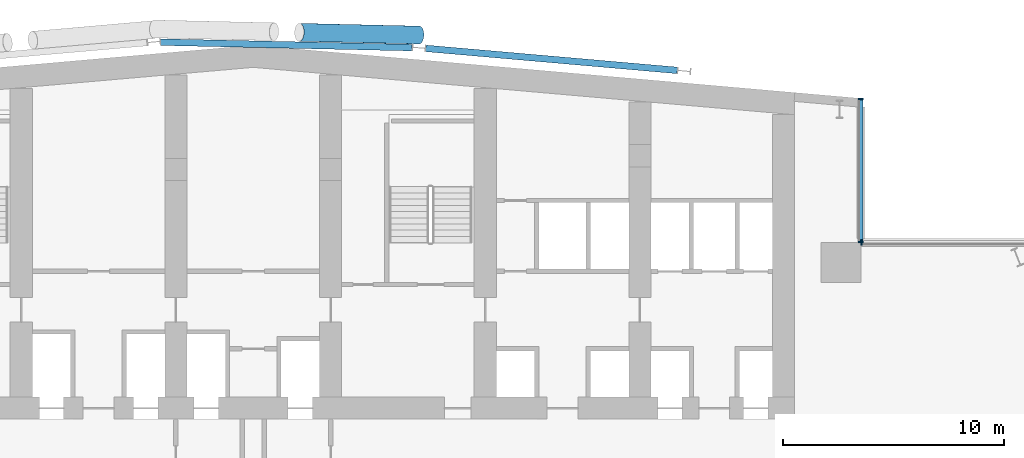
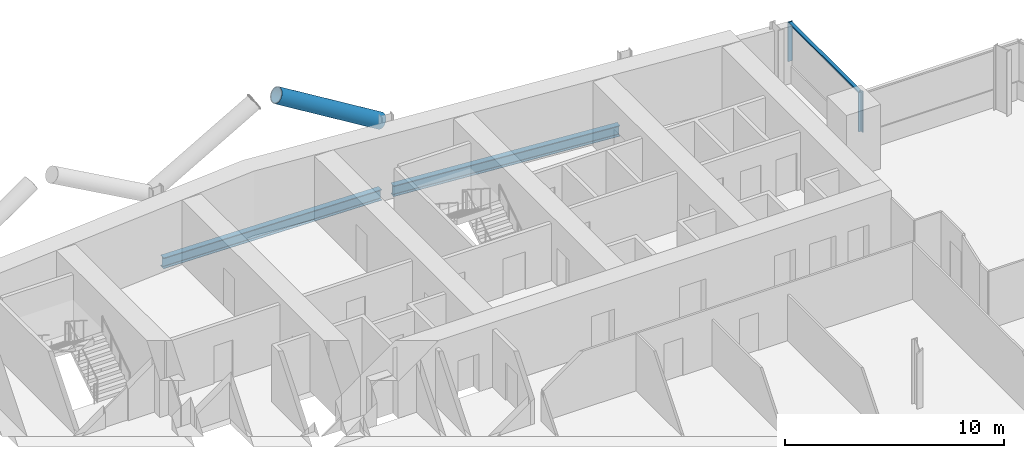
# One storey, part 9 of 25: 5 members, 2 beams, 2 elements without a shape of their own.
"""IFC4 building model written with IfcOpenShell, lengths in metres."""

from ifc_helpers import new_model, si_unit, direction, frame, origin, origin_2d, place, context, subcontext, project, spatial, rectangle, hollow_circle, i_section, extrude, material, material_profile, profile_set, type_object, element, aggregate, save


model = new_model("IFC4")

# Units and contexts
model_context = context("Model", 3, precision=1e-05, world=origin(), true_north=direction((0.0, 1.0)))
body_context = subcontext(model_context, "Body", "Model", "MODEL_VIEW")
ifc_project = project(units=[si_unit("LENGTHUNIT", "METRE"), si_unit("AREAUNIT", "SQUARE_METRE"), si_unit("VOLUMEUNIT", "CUBIC_METRE"), si_unit("PLANEANGLEUNIT", "RADIAN"), si_unit("MASSUNIT", "GRAM", prefix="KILO")], contexts=[model_context])

# Site, building, storey
site_placement = place(None, origin())
site = spatial("IfcSite", under=ifc_project, at=site_placement, CompositionType="ELEMENT")
building_placement = place(site_placement, origin())
building = spatial("IfcBuilding", under=site, at=building_placement, Name="Wharfspan Tower", CompositionType="ELEMENT")
storey_placement = place(building_placement, frame((0.0, 0.0, 121.899902)))
storey = spatial("IfcBuildingStorey", under=building, at=storey_placement, Name="L28", CompositionType="ELEMENT", Elevation=121.899902)

# Beams
ifc_material_1 = material(Name="Steel S355J2", Category="steel")
ifc_material_profile_1 = material_profile(ifc_material_1, i_section(OverallWidth=0.300049, OverallDepth=0.600098, WebThickness=0.015381, FlangeThickness=0.030029, FilletRadius=0.0271, at=origin_2d()))
ifc_profile_set_1 = profile_set([ifc_material_profile_1], Name="Steel S355J2")
beam_type = type_object("IfcBeamType", Name="Edge beam HEB 600", PredefinedType="SPANDREL", material=ifc_profile_set_1)
beam_1_placement = place(storey_placement, frame((59.695068, 49.791504, -0.699951), z_axis=(-0.996194, 0.087162, 0.0), x_axis=(-0.087162, -0.996194, 0.0)))
element("IfcBeam", 1, at=beam_1_placement, inside=storey, type_object=beam_type, Name="Edge beam N2 L28 R.4 to R.3", PredefinedType="SPANDREL", context=body_context, shape_type="SweptSolid", body=[
    extrude(i_section(OverallWidth=0.300049, OverallDepth=0.600098, WebThickness=0.015381, FlangeThickness=0.030029, FilletRadius=0.0271, at=origin_2d()), origin(), (0.0, 0.0, 1.0), 11.433594),
])
beam_2_placement = place(storey_placement, frame((36.307861, 51.070557, -0.699951), z_axis=(0.99976, -0.021888, 0.0), x_axis=(0.021888, 0.99976, 0.0)))
element("IfcBeam", 2, at=beam_2_placement, inside=storey, type_object=beam_type, Name="Edge beam L28 R.2 to R.3", PredefinedType="SPANDREL", context=body_context, shape_type="SweptSolid", body=[
    extrude(i_section(OverallWidth=0.300049, OverallDepth=0.600098, WebThickness=0.015381, FlangeThickness=0.030029, FilletRadius=0.0271, at=origin_2d()), origin(), (0.0, 0.0, 1.0), 11.388184),
])

# Curtain wall, member
ifc_material_2 = material(Name="Aluminium 6063-T6", Category="aluminium")
curtain_wall_type = type_object("IfcCurtainWallType", Name="CURTAIN WALL PROW AND END", PredefinedType="NOTDEFINED", material=ifc_material_2)
curtain_wall_1_placement = place(storey_placement, origin())
curtain_wall_1 = element("IfcCurtainWall", 3, at=curtain_wall_1_placement, inside=storey, type_object=curtain_wall_type, Name="Curtain wall NRE-H", PredefinedType="NOTDEFINED")
ifc_material_profile_2 = material_profile(ifc_material_2, rectangle(XDim=0.23999, YDim=0.060059, at=origin_2d()))
ifc_profile_set_2 = profile_set([ifc_material_profile_2], Name="Aluminium 6063-T6")
member_type_1 = type_object("IfcMemberType", Name="MULLION PROW AND END 60x240", PredefinedType="MULLION", material=ifc_profile_set_2)
member_1_placement = place(storey_placement, frame((68.030029, 42.0, 1.0), z_axis=(0.0, 0.0, 1.0), x_axis=(0.0, -1.0, 0.0)))
member_1 = element("IfcMember", 4, at=member_1_placement, type_object=member_type_1, Name="Curtain wall NRE-H mullion 2", PredefinedType="MULLION", context=body_context, shape_type="SweptSolid", body=[
    extrude(rectangle(XDim=0.23999, YDim=0.060059, at=origin_2d()), origin(), (0.0, 0.0, 1.0), 2.200195),
])
aggregate(curtain_wall_1, [member_1])

# Curtain wall, members
curtain_wall_2_placement = place(storey_placement, origin())
curtain_wall_2 = element("IfcCurtainWall", 5, at=curtain_wall_2_placement, inside=storey, type_object=curtain_wall_type, Name="Curtain wall NRE-V", PredefinedType="NOTDEFINED")
member_2_placement = place(storey_placement, frame((68.0, 42.030029, 1.0), z_axis=(0.0, 0.0, 1.0), x_axis=(-1.0, 0.0, 0.0)))
member_2 = element("IfcMember", 6, at=member_2_placement, type_object=member_type_1, Name="Curtain wall NRE-V mullion 1", PredefinedType="MULLION", context=body_context, shape_type="SweptSolid", body=[
    extrude(rectangle(XDim=0.23999, YDim=0.060059, at=origin_2d()), origin(), (0.0, 0.0, 1.0), 2.200195),
])
member_3_placement = place(storey_placement, frame((68.0, 48.494873, 1.0), z_axis=(0.0, 0.0, 1.0), x_axis=(-1.0, 0.0, 0.0)))
member_3 = element("IfcMember", 7, at=member_3_placement, type_object=member_type_1, Name="Curtain wall NRE-V mullion 2", PredefinedType="MULLION", context=body_context, shape_type="SweptSolid", body=[
    extrude(rectangle(XDim=0.23999, YDim=0.060059, at=origin_2d()), origin(), (0.0, 0.0, 1.0), 2.200195),
])

# Member
ifc_material_3 = material(Name="Steel S460NH", Category="steel")
ifc_material_profile_3 = material_profile(ifc_material_3, hollow_circle(Radius=0.406494, WallThickness=0.040039, at=origin_2d()))
ifc_profile_set_3 = profile_set([ifc_material_profile_3], Name="Steel S460NH")
member_type_2 = type_object("IfcMemberType", Name="Mega brace CHS 813x40", PredefinedType="BRACE", material=ifc_profile_set_3)
member_4_placement = place(storey_placement, frame((48.012695, 51.390381, 2.900146), z_axis=(-0.857327, 0.019686, 0.514396), x_axis=(-0.022956, -0.999736, 0.0)))
element("IfcMember", 8, at=member_4_placement, inside=storey, type_object=member_type_2, Name="Mega brace N7 L29 part 3", PredefinedType="BRACE", context=body_context, shape_type="SweptSolid", body=[
    extrude(hollow_circle(Radius=0.406494, WallThickness=0.040039, at=origin_2d()), origin(), (0.0, 0.0, 1.0), 6.324707),
])

ifc_material_profile_4 = material_profile(ifc_material_2, rectangle(XDim=0.179932, YDim=0.080078, at=origin_2d()))
ifc_profile_set_4 = profile_set([ifc_material_profile_4], Name="Aluminium 6063-T6")
member_type_3 = type_object("IfcMemberType", Name="TRANSOM PROW AND END 80x180", PredefinedType="USERDEFINED", material=ifc_profile_set_4)
member_5_placement = place(storey_placement, frame((68.0, 42.060059, 3.160156), z_axis=(0.0, 1.0, 0.0), x_axis=(-1.0, 0.0, 0.0)))
member_5 = element("IfcMember", 9, at=member_5_placement, type_object=member_type_3, Name="Curtain wall NRE-V transom 1", ObjectType="TRANSOM", PredefinedType="USERDEFINED", context=body_context, shape_type="SweptSolid", body=[
    extrude(rectangle(XDim=0.179932, YDim=0.080078, at=origin_2d()), origin(), (0.0, 0.0, 1.0), 6.404785),
])

aggregate(curtain_wall_2, [member_2, member_3, member_5])

save(model, "model.ifc")
